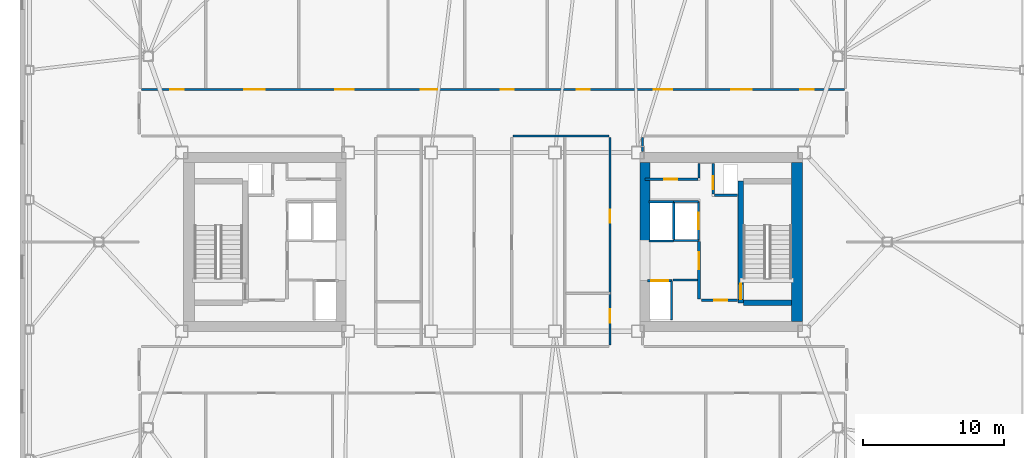
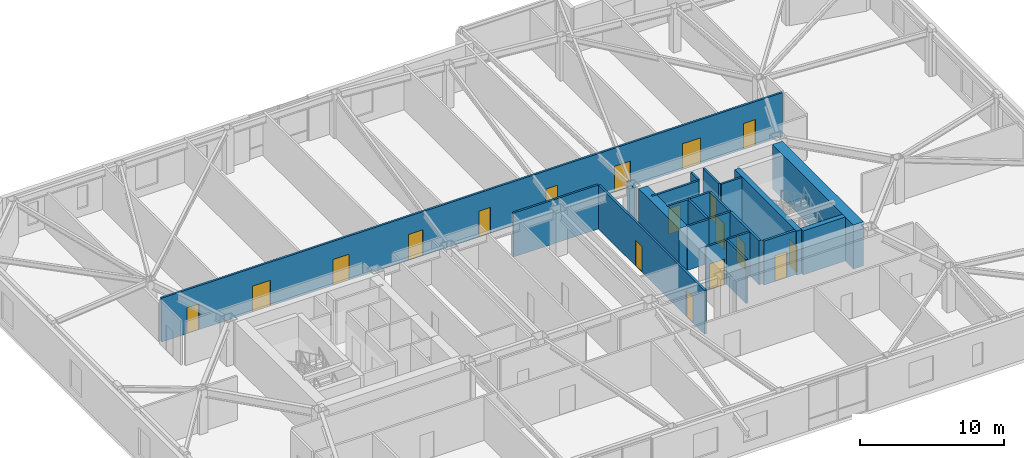
# One storey, part 12 of 18: 23 walls, 18 doors, 18 openings.
"""IFC4 building model written with IfcOpenShell, lengths in metres."""

from ifc_helpers import new_model, si_unit, direction, frame, frame_2d, origin, place, context, subcontext, project, spatial, rectangle, extrude, material, layer, layer_set, type_object, element, fill, save


model = new_model("IFC4")

# Units and contexts
model_context = context("Model", 3, precision=1e-05, world=origin(), true_north=direction((0.0, 1.0)))
body_context = subcontext(model_context, "Body", "Model", "MODEL_VIEW")
ifc_project = project(units=[si_unit("LENGTHUNIT", "METRE"), si_unit("AREAUNIT", "SQUARE_METRE"), si_unit("VOLUMEUNIT", "CUBIC_METRE"), si_unit("PLANEANGLEUNIT", "RADIAN"), si_unit("MASSUNIT", "GRAM", prefix="KILO")], contexts=[model_context])

# Site, building, storey
site_placement = place(None, origin())
site = spatial("IfcSite", under=ifc_project, at=site_placement, CompositionType="ELEMENT")
building_placement = place(site_placement, origin())
building = spatial("IfcBuilding", under=site, at=building_placement, Name="Tavrogorsk Clinical Tower", CompositionType="ELEMENT")
storey_placement = place(building_placement, frame((0.0, 0.0, 184.199951171875)))
storey = spatial("IfcBuildingStorey", under=building, at=storey_placement, Name="L42", CompositionType="ELEMENT", Elevation=184.199951171875)

# Wall, opening, door
ifc_material_1 = material(Name="Concrete B60", Category="concrete")
ifc_layer_1 = layer(ifc_material_1, 0.199951171875)
ifc_layer_set_1 = layer_set([ifc_layer_1], Name="Concrete B60")
wall_type_1 = type_object("IfcWallType", Name="CoreFireWall_200", PredefinedType="SOLIDWALL", material=ifc_layer_set_1)
wall_1_placement = place(storey_placement, frame((14.824951171875, -4.139892578125, 0.0), z_axis=(0.0, 0.0, 1.0), x_axis=(1.0, 0.0, 0.0)))
wall_1 = element("IfcWall", 1, at=wall_1_placement, inside=storey, type_object=wall_type_1, Name="L42 Core East South Core Room Fire Wall", PredefinedType="SOLIDWALL", context=body_context, shape_type="SweptSolid", body=[
    extrude(rectangle(XDim=2.554931640625, YDim=0.199951171875, at=frame_2d((1.27734375, 0.0))), origin(), (0.0, 0.0, 1.0), 3.739990234375),
])
opening_1_placement = place(wall_1_placement, frame((0.8798828125, 0.0, 0.0)))
opening_1 = element("IfcOpeningElement", 2, at=opening_1_placement, cuts=wall_1, Name="Opening ID-02", PredefinedType="OPENING", context=body_context, shape_type="SweptSolid", body=[
    extrude(rectangle(XDim=0.949951171875, YDim=2.199951171875, at=frame_2d((0.47509765625, 1.10009765625))), frame((0.0, 0.10986328125, 0.0), z_axis=(0.0, -1.0, 0.0), x_axis=(1.0, 0.0, 0.0)), (0.0, 0.0, 1.0), 0.219970703125),
])
ifc_material_2 = material(Name="Laminated timber leaf on aluminium frame", Category="wood")
door_type_1 = type_object("IfcDoorType", Name="InteriorDoor_ID02_950", OperationType="NOTDEFINED", PredefinedType="DOOR", material=ifc_material_2)
door_1_placement = place(opening_1_placement, origin())
door_1 = element("IfcDoor", 3, at=door_1_placement, inside=storey, type_object=door_type_1, Name="L42 Core East South Core Room Door", OperationType="SINGLE_SWING_RIGHT", OverallHeight=2.199951171875, OverallWidth=0.949951171875, PredefinedType="DOOR", context=body_context, shape_type="SweptSolid", body=[
    extrude(rectangle(XDim=0.949951171875, YDim=2.199951171875, at=frame_2d((0.47509765625, 1.10009765625))), frame((0.0, 0.02490234375, 0.0), z_axis=(0.0, -1.0, 0.0), x_axis=(1.0, 0.0, 0.0)), (0.0, 0.0, 1.0), 0.050048828125),
])
fill(opening_1, door_1)

wall_2_placement = place(storey_placement, frame((14.639892578125, -4.034912109375, 0.0), z_axis=(0.0, 0.0, 1.0), x_axis=(0.0, 1.0, 0.0)))
wall_2 = element("IfcWall", 4, at=wall_2_placement, inside=storey, type_object=wall_type_1, Name="L42 Core East Firefighting Lobby Fire Wall", PredefinedType="SOLIDWALL", context=body_context, shape_type="SweptSolid", body=[
    extrude(rectangle(XDim=4.074951171875, YDim=0.199951171875, at=frame_2d((2.03759765625, 0.0))), origin(), (0.0, 0.0, 1.0), 3.739990234375),
])
opening_2_placement = place(wall_2_placement, frame((2.090087890625, 0.0, 0.0)))
opening_2 = element("IfcOpeningElement", 5, at=opening_2_placement, cuts=wall_2, Name="Opening FD-01", PredefinedType="OPENING", context=body_context, shape_type="SweptSolid", body=[
    extrude(rectangle(XDim=1.199951171875, YDim=2.199951171875, at=frame_2d((0.60009765625, 1.10009765625))), frame((0.0, 0.10986328125, 0.0), z_axis=(0.0, -1.0, 0.0), x_axis=(1.0, 0.0, 0.0)), (0.0, 0.0, 1.0), 0.219970703125),
])
ifc_material_3 = material(Name="Galvanised steel fire-rated door assembly", Category="steel")
door_type_2 = type_object("IfcDoorType", Name="FireDoor_FD01_1200", OperationType="NOTDEFINED", PredefinedType="DOOR", material=ifc_material_3)
door_2_placement = place(opening_2_placement, origin())
door_2 = element("IfcDoor", 6, at=door_2_placement, inside=storey, type_object=door_type_2, Name="L42 Core East Firefighting Lobby Entry Door", OperationType="SINGLE_SWING_RIGHT", OverallHeight=2.199951171875, OverallWidth=1.199951171875, PredefinedType="DOOR", context=body_context, shape_type="SweptSolid", body=[
    extrude(rectangle(XDim=1.199951171875, YDim=2.199951171875, at=frame_2d((0.60009765625, 1.10009765625))), frame((0.0, 0.02490234375, 0.0), z_axis=(0.0, -1.0, 0.0), x_axis=(1.0, 0.0, 0.0)), (0.0, 0.0, 1.0), 0.050048828125),
])
fill(opening_2, door_2)

# Wall
ifc_material_4 = material(Name="Lightweight concrete blockwork B15", Category="masonry")
ifc_layer_2 = layer(ifc_material_4, 0.159912109375)
ifc_layer_set_2 = layer_set([ifc_layer_2], Name="Lightweight concrete blockwork B15")
wall_type_2 = type_object("IfcWallType", Name="PartitionWall_160", PredefinedType="PARTITIONING", material=ifc_layer_set_2)
wall_3_placement = place(storey_placement, frame((12.77490234375, -2.699951171875, 0.0), z_axis=(0.0, 0.0, 1.0), x_axis=(1.0, 0.0, 0.0)))
element("IfcWall", 7, at=wall_3_placement, inside=storey, type_object=wall_type_2, Name="L42 Core East Freed Low-Bank North Partition", PredefinedType="PARTITIONING", context=body_context, shape_type="SweptSolid", body=[
    extrude(rectangle(XDim=1.760009765625, YDim=0.159912109375, at=frame_2d((0.8798828125, 0.0))), origin(), (0.0, 0.0, 1.0), 3.739990234375),
])

# Wall, opening, door
wall_4_placement = place(storey_placement, frame((10.800048828125, 4.4599609375, 0.0), z_axis=(0.0, 0.0, 1.0), x_axis=(1.0, 0.0, 0.0)))
wall_4 = element("IfcWall", 8, at=wall_4_placement, inside=storey, type_object=wall_type_2, Name="L42 Core East Pneumatic Dispatch South Wall", PredefinedType="PARTITIONING", context=body_context, shape_type="SweptSolid", body=[
    extrude(rectangle(XDim=3.7548828125, YDim=0.159912109375, at=frame_2d((1.87744140625, 0.0))), origin(), (0.0, 0.0, 1.0), 3.739990234375),
])
opening_3_placement = place(wall_4_placement, frame((1.35009765625, 0.0, 0.0)))
opening_3 = element("IfcOpeningElement", 9, at=opening_3_placement, cuts=wall_4, Name="Opening ID-02", PredefinedType="OPENING", context=body_context, shape_type="SweptSolid", body=[
    extrude(rectangle(XDim=0.949951171875, YDim=2.199951171875, at=frame_2d((0.47509765625, 1.10009765625))), frame((0.0, 0.08984375, 0.0), z_axis=(0.0, -1.0, 0.0), x_axis=(1.0, 0.0, 0.0)), (0.0, 0.0, 1.0), 0.179931640625),
])
door_3_placement = place(opening_3_placement, origin())
door_3 = element("IfcDoor", 10, at=door_3_placement, inside=storey, type_object=door_type_1, Name="L42 Core East Pneumatic Dispatch Door", OperationType="SINGLE_SWING_LEFT", OverallHeight=2.199951171875, OverallWidth=0.949951171875, PredefinedType="DOOR", context=body_context, shape_type="SweptSolid", body=[
    extrude(rectangle(XDim=0.949951171875, YDim=2.199951171875, at=frame_2d((0.47509765625, 1.10009765625))), frame((0.0, 0.02490234375, 0.0), z_axis=(0.0, -1.0, 0.0), x_axis=(1.0, 0.0, 0.0)), (0.0, 0.0, 1.0), 0.050048828125),
])
fill(opening_3, door_3)

# Wall
wall_5_placement = place(storey_placement, frame((14.639892578125, 4.544921875, 0.0), z_axis=(0.0, 0.0, 1.0), x_axis=(0.0, 1.0, 0.0)))
element("IfcWall", 11, at=wall_5_placement, inside=storey, type_object=wall_type_2, Name="L42 Core East Pneumatic Dispatch East Wall", PredefinedType="PARTITIONING", context=body_context, shape_type="SweptSolid", body=[
    extrude(rectangle(XDim=1.01513671875, YDim=0.159912109375, at=frame_2d((0.507568359375, 0.0))), origin(), (0.0, 0.0, 1.0), 3.739990234375),
])

# Wall, openings, doors
wall_6_placement = place(storey_placement, frame((-24.965087890625, 10.830078125, 0.0), z_axis=(0.0, 0.0, 1.0), x_axis=(1.0, 0.0, 0.0)))
wall_6 = element("IfcWall", 12, at=wall_6_placement, inside=storey, type_object=wall_type_2, Name="L42 Corridor Partition 07", PredefinedType="PARTITIONING", context=body_context, shape_type="SweptSolid", body=[
    extrude(rectangle(XDim=49.93017578125, YDim=0.159912109375, at=frame_2d((24.965087890625, 0.0))), origin(), (0.0, 0.0, 1.0), 3.739990234375),
])
opening_4_placement = place(wall_6_placement, frame((2.044189453125, 0.0, 0.0)))
opening_4 = element("IfcOpeningElement", 13, at=opening_4_placement, cuts=wall_6, Name="Opening ID-02", PredefinedType="OPENING", context=body_context, shape_type="SweptSolid", body=[
    extrude(rectangle(XDim=0.949951171875, YDim=2.199951171875, at=frame_2d((0.47509765625, 1.10009765625))), frame((0.0, 0.08984375, 0.0), z_axis=(0.0, -1.0, 0.0), x_axis=(1.0, 0.0, 0.0)), (0.0, 0.0, 1.0), 0.179931640625),
])
opening_5_placement = place(wall_6_placement, frame((7.300048828125, 0.0, 0.0)))
opening_5 = element("IfcOpeningElement", 14, at=opening_5_placement, cuts=wall_6, Name="Opening ID-05", PredefinedType="OPENING", context=body_context, shape_type="SweptSolid", body=[
    extrude(rectangle(XDim=1.449951171875, YDim=2.199951171875, at=frame_2d((0.72509765625, 1.10009765625))), frame((0.0, 0.08984375, 0.0), z_axis=(0.0, -1.0, 0.0), x_axis=(1.0, 0.0, 0.0)), (0.0, 0.0, 1.0), 0.179931640625),
])
opening_6_placement = place(wall_6_placement, frame((13.77490234375, 0.0, 0.0)))
opening_6 = element("IfcOpeningElement", 15, at=opening_6_placement, cuts=wall_6, Name="Opening ID-01", PredefinedType="OPENING", context=body_context, shape_type="SweptSolid", body=[
    extrude(rectangle(XDim=1.300048828125, YDim=2.199951171875, at=frame_2d((0.64990234375, 1.10009765625))), frame((0.0, 0.08984375, 0.0), z_axis=(0.0, -1.0, 0.0), x_axis=(1.0, 0.0, 0.0)), (0.0, 0.0, 1.0), 0.179931640625),
])
opening_7_placement = place(wall_6_placement, frame((19.85009765625, 0.0, 0.0)))
opening_7 = element("IfcOpeningElement", 16, at=opening_7_placement, cuts=wall_6, Name="Opening ID-06", PredefinedType="OPENING", context=body_context, shape_type="SweptSolid", body=[
    extrude(rectangle(XDim=1.14990234375, YDim=2.199951171875, at=frame_2d((0.574951171875, 1.10009765625))), frame((0.0, 0.08984375, 0.0), z_axis=(0.0, -1.0, 0.0), x_axis=(1.0, 0.0, 0.0)), (0.0, 0.0, 1.0), 0.179931640625),
])
opening_8_placement = place(wall_6_placement, frame((25.5, 0.0, 0.0)))
opening_8 = element("IfcOpeningElement", 17, at=opening_8_placement, cuts=wall_6, Name="Opening ID-02", PredefinedType="OPENING", context=body_context, shape_type="SweptSolid", body=[
    extrude(rectangle(XDim=0.949951171875, YDim=2.199951171875, at=frame_2d((0.47509765625, 1.10009765625))), frame((0.0, 0.08984375, 0.0), z_axis=(0.0, -1.0, 0.0), x_axis=(1.0, 0.0, 0.0)), (0.0, 0.0, 1.0), 0.179931640625),
])
opening_9_placement = place(wall_6_placement, frame((30.89990234375, 0.0, 0.0)))
opening_9 = element("IfcOpeningElement", 18, at=opening_9_placement, cuts=wall_6, Name="Opening ID-02", PredefinedType="OPENING", context=body_context, shape_type="SweptSolid", body=[
    extrude(rectangle(XDim=0.949951171875, YDim=2.199951171875, at=frame_2d((0.47509765625, 1.10009765625))), frame((0.0, 0.08984375, 0.0), z_axis=(0.0, -1.0, 0.0), x_axis=(1.0, 0.0, 0.0)), (0.0, 0.0, 1.0), 0.179931640625),
])
opening_10_placement = place(wall_6_placement, frame((36.39501953125, 0.0, 0.0)))
opening_10 = element("IfcOpeningElement", 19, at=opening_10_placement, cuts=wall_6, Name="Opening ID-01", PredefinedType="OPENING", context=body_context, shape_type="SweptSolid", body=[
    extrude(rectangle(XDim=1.300048828125, YDim=2.199951171875, at=frame_2d((0.64990234375, 1.10009765625))), frame((0.0, 0.08984375, 0.0), z_axis=(0.0, -1.0, 0.0), x_axis=(1.0, 0.0, 0.0)), (0.0, 0.0, 1.0), 0.179931640625),
])
opening_11_placement = place(wall_6_placement, frame((41.89501953125, 0.0, 0.0)))
opening_11 = element("IfcOpeningElement", 20, at=opening_11_placement, cuts=wall_6, Name="Opening ID-05", PredefinedType="OPENING", context=body_context, shape_type="SweptSolid", body=[
    extrude(rectangle(XDim=1.449951171875, YDim=2.199951171875, at=frame_2d((0.72509765625, 1.10009765625))), frame((0.0, 0.08984375, 0.0), z_axis=(0.0, -1.0, 0.0), x_axis=(1.0, 0.0, 0.0)), (0.0, 0.0, 1.0), 0.179931640625),
])
opening_12_placement = place(wall_6_placement, frame((46.805908203125, 0.0, 0.0)))
opening_12 = element("IfcOpeningElement", 21, at=opening_12_placement, cuts=wall_6, Name="Opening ID-02", PredefinedType="OPENING", context=body_context, shape_type="SweptSolid", body=[
    extrude(rectangle(XDim=0.949951171875, YDim=2.199951171875, at=frame_2d((0.47509765625, 1.10009765625))), frame((0.0, 0.08984375, 0.0), z_axis=(0.0, -1.0, 0.0), x_axis=(1.0, 0.0, 0.0)), (0.0, 0.0, 1.0), 0.179931640625),
])
ifc_material_5 = material(Name="Antibacterial HPL bariatric ward double door")
door_type_3 = type_object("IfcDoorType", Name="DoubleWardDoor_ID05_1450", OperationType="DOUBLE_SWING_LEFT", PredefinedType="DOOR", material=ifc_material_5)
door_4_placement = place(opening_5_placement, origin())
door_4 = element("IfcDoor", 22, at=door_4_placement, inside=storey, type_object=door_type_3, Name="L42 North Acute Isolation Suite 02 Door", OperationType="DOUBLE_SWING_LEFT", OverallHeight=2.199951171875, OverallWidth=1.449951171875, PredefinedType="DOOR", context=body_context, shape_type="SweptSolid", body=[
    extrude(rectangle(XDim=1.449951171875, YDim=2.199951171875, at=frame_2d((0.72509765625, 1.10009765625))), frame((0.0, 0.02490234375, 0.0), z_axis=(0.0, -1.0, 0.0), x_axis=(1.0, 0.0, 0.0)), (0.0, 0.0, 1.0), 0.050048828125),
])
fill(opening_5, door_4)
door_5_placement = place(opening_11_placement, origin())
door_5 = element("IfcDoor", 23, at=door_5_placement, inside=storey, type_object=door_type_3, Name="L42 North Acute Isolation Suite 05B Door", OperationType="DOUBLE_SWING_LEFT", OverallHeight=2.199951171875, OverallWidth=1.449951171875, PredefinedType="DOOR", context=body_context, shape_type="SweptSolid", body=[
    extrude(rectangle(XDim=1.449951171875, YDim=2.199951171875, at=frame_2d((0.72509765625, 1.10009765625))), frame((0.0, 0.02490234375, 0.0), z_axis=(0.0, -1.0, 0.0), x_axis=(1.0, 0.0, 0.0)), (0.0, 0.0, 1.0), 0.050048828125),
])
fill(opening_11, door_5)
door_6_placement = place(opening_4_placement, origin())
door_6 = element("IfcDoor", 24, at=door_6_placement, inside=storey, type_object=door_type_1, Name="L42 North Patient & Family Quiet Lounge 01 Door", OperationType="SINGLE_SWING_LEFT", OverallHeight=2.199951171875, OverallWidth=0.949951171875, PredefinedType="DOOR", context=body_context, shape_type="SweptSolid", body=[
    extrude(rectangle(XDim=0.949951171875, YDim=2.199951171875, at=frame_2d((0.47509765625, 1.10009765625))), frame((0.0, 0.02490234375, 0.0), z_axis=(0.0, -1.0, 0.0), x_axis=(1.0, 0.0, 0.0)), (0.0, 0.0, 1.0), 0.050048828125),
])
fill(opening_4, door_6)
door_7_placement = place(opening_8_placement, origin())
door_7 = element("IfcDoor", 25, at=door_7_placement, inside=storey, type_object=door_type_1, Name="L42 North Multidisciplinary Case Room 04A Door", OperationType="SINGLE_SWING_LEFT", OverallHeight=2.199951171875, OverallWidth=0.949951171875, PredefinedType="DOOR", context=body_context, shape_type="SweptSolid", body=[
    extrude(rectangle(XDim=0.949951171875, YDim=2.199951171875, at=frame_2d((0.47509765625, 1.10009765625))), frame((0.0, 0.02490234375, 0.0), z_axis=(0.0, -1.0, 0.0), x_axis=(1.0, 0.0, 0.0)), (0.0, 0.0, 1.0), 0.050048828125),
])
fill(opening_8, door_7)
door_8_placement = place(opening_9_placement, origin())
door_8 = element("IfcDoor", 26, at=door_8_placement, inside=storey, type_object=door_type_1, Name="L42 North Patient & Family Quiet Lounge 04B Door", OperationType="SINGLE_SWING_RIGHT", OverallHeight=2.199951171875, OverallWidth=0.949951171875, PredefinedType="DOOR", context=body_context, shape_type="SweptSolid", body=[
    extrude(rectangle(XDim=0.949951171875, YDim=2.199951171875, at=frame_2d((0.47509765625, 1.10009765625))), frame((0.0, 0.02490234375, 0.0), z_axis=(0.0, -1.0, 0.0), x_axis=(1.0, 0.0, 0.0)), (0.0, 0.0, 1.0), 0.050048828125),
])
fill(opening_9, door_8)
door_9_placement = place(opening_12_placement, origin())
door_9 = element("IfcDoor", 27, at=door_9_placement, inside=storey, type_object=door_type_1, Name="L42 North Clinical Examination Suite 06 Door", OperationType="SINGLE_SWING_LEFT", OverallHeight=2.199951171875, OverallWidth=0.949951171875, PredefinedType="DOOR", context=body_context, shape_type="SweptSolid", body=[
    extrude(rectangle(XDim=0.949951171875, YDim=2.199951171875, at=frame_2d((0.47509765625, 1.10009765625))), frame((0.0, 0.02490234375, 0.0), z_axis=(0.0, -1.0, 0.0), x_axis=(1.0, 0.0, 0.0)), (0.0, 0.0, 1.0), 0.050048828125),
])
fill(opening_12, door_9)
ifc_material_6 = material(Name="Antibacterial HPL procedure door on aluminium frame", Category="aluminium")
door_type_4 = type_object("IfcDoorType", Name="LabDoor_ID06_1150", OperationType="NOTDEFINED", PredefinedType="DOOR", material=ifc_material_6)
door_10_placement = place(opening_7_placement, origin())
door_10 = element("IfcDoor", 28, at=door_10_placement, inside=storey, type_object=door_type_4, Name="L42 North Physician Consultation Office 03B Door", OperationType="SINGLE_SWING_RIGHT", OverallHeight=2.199951171875, OverallWidth=1.14990234375, PredefinedType="DOOR", context=body_context, shape_type="SweptSolid", body=[
    extrude(rectangle(XDim=1.14990234375, YDim=2.199951171875, at=frame_2d((0.574951171875, 1.10009765625))), frame((0.0, 0.02490234375, 0.0), z_axis=(0.0, -1.0, 0.0), x_axis=(1.0, 0.0, 0.0)), (0.0, 0.0, 1.0), 0.050048828125),
])
fill(opening_7, door_10)
ifc_material_7 = material(Name="Antibacterial HPL medical leaf on aluminium frame", Category="aluminium")
door_type_5 = type_object("IfcDoorType", Name="WardBedDoor_ID01_1300", OperationType="NOTDEFINED", PredefinedType="DOOR", material=ifc_material_7)
door_11_placement = place(opening_6_placement, origin())
door_11 = element("IfcDoor", 29, at=door_11_placement, inside=storey, type_object=door_type_5, Name="L42 North Sub-Acute Recovery Ward 03A Door", OperationType="SINGLE_SWING_LEFT", OverallHeight=2.199951171875, OverallWidth=1.300048828125, PredefinedType="DOOR", context=body_context, shape_type="SweptSolid", body=[
    extrude(rectangle(XDim=1.300048828125, YDim=2.199951171875, at=frame_2d((0.64990234375, 1.10009765625))), frame((0.0, 0.02490234375, 0.0), z_axis=(0.0, -1.0, 0.0), x_axis=(1.0, 0.0, 0.0)), (0.0, 0.0, 1.0), 0.050048828125),
])
fill(opening_6, door_11)
door_12_placement = place(opening_10_placement, origin())
door_12 = element("IfcDoor", 30, at=door_12_placement, inside=storey, type_object=door_type_5, Name="L42 North Inpatient Clinical Ward 05A Door", OperationType="SINGLE_SWING_LEFT", OverallHeight=2.199951171875, OverallWidth=1.300048828125, PredefinedType="DOOR", context=body_context, shape_type="SweptSolid", body=[
    extrude(rectangle(XDim=1.300048828125, YDim=2.199951171875, at=frame_2d((0.64990234375, 1.10009765625))), frame((0.0, 0.02490234375, 0.0), z_axis=(0.0, -1.0, 0.0), x_axis=(1.0, 0.0, 0.0)), (0.0, 0.0, 1.0), 0.050048828125),
])
fill(opening_10, door_12)

# Walls
wall_7_placement = place(storey_placement, frame((10.6298828125, 7.43505859375, 0.0), z_axis=(0.0, 0.0, 1.0), x_axis=(0.0, -1.0, 0.0)))
element("IfcWall", 31, at=wall_7_placement, inside=storey, type_object=wall_type_2, Name="L42 Corridor Partition 10", PredefinedType="PARTITIONING", context=body_context, shape_type="SweptSolid", body=[
    extrude(rectangle(XDim=1.01513671875, YDim=0.159912109375, at=frame_2d((0.507568359375, 0.0))), origin(), (0.0, 0.0, 1.0), 3.28515625),
])
wall_8_placement = place(storey_placement, frame((8.235107421875, 7.52001953125, 0.0), z_axis=(0.0, 0.0, 1.0), x_axis=(-1.0, 0.0, 0.0)))
element("IfcWall", 32, at=wall_8_placement, inside=storey, type_object=wall_type_2, Name="L42 Corridor Partition 15", PredefinedType="PARTITIONING", context=body_context, shape_type="SweptSolid", body=[
    extrude(rectangle(XDim=6.820068359375, YDim=0.159912109375, at=frame_2d((3.41015625, 0.0))), origin(), (0.0, 0.0, 1.0), 3.739990234375),
])

# Wall, openings, doors
wall_9_placement = place(storey_placement, frame((8.320068359375, -7.3349609375, 0.0), z_axis=(0.0, 0.0, 1.0), x_axis=(0.0, 1.0, 0.0)))
wall_9 = element("IfcWall", 33, at=wall_9_placement, inside=storey, type_object=wall_type_2, Name="L42 Corridor Partition 18", PredefinedType="PARTITIONING", context=body_context, shape_type="SweptSolid", body=[
    extrude(rectangle(XDim=14.77001953125, YDim=0.159912109375, at=frame_2d((7.385009765625, 0.0))), origin(), (0.0, 0.0, 1.0), 3.739990234375),
])
opening_13_placement = place(wall_9_placement, frame((1.60400390625, 0.0, 0.0)))
opening_13 = element("IfcOpeningElement", 34, at=opening_13_placement, cuts=wall_9, Name="Opening ID-02", PredefinedType="OPENING", context=body_context, shape_type="SweptSolid", body=[
    extrude(rectangle(XDim=0.949951171875, YDim=2.199951171875, at=frame_2d((0.47509765625, 1.10009765625))), frame((0.0, 0.08984375, 0.0), z_axis=(0.0, -1.0, 0.0), x_axis=(1.0, 0.0, 0.0)), (0.0, 0.0, 1.0), 0.179931640625),
])
opening_14_placement = place(wall_9_placement, frame((8.685791015625, 0.0, 0.0)))
opening_14 = element("IfcOpeningElement", 35, at=opening_14_placement, cuts=wall_9, Name="Opening ID-02", PredefinedType="OPENING", context=body_context, shape_type="SweptSolid", body=[
    extrude(rectangle(XDim=0.949951171875, YDim=2.199951171875, at=frame_2d((0.47509765625, 1.10009765625))), frame((0.0, 0.08984375, 0.0), z_axis=(0.0, -1.0, 0.0), x_axis=(1.0, 0.0, 0.0)), (0.0, 0.0, 1.0), 0.179931640625),
])
door_13_placement = place(opening_13_placement, origin())
door_13 = element("IfcDoor", 36, at=door_13_placement, inside=storey, type_object=door_type_1, Name="L42 Staff & Visitor Accessible WC Door", OperationType="SINGLE_SWING_RIGHT", OverallHeight=2.199951171875, OverallWidth=0.949951171875, PredefinedType="DOOR", context=body_context, shape_type="SweptSolid", body=[
    extrude(rectangle(XDim=0.949951171875, YDim=2.199951171875, at=frame_2d((0.47509765625, 1.10009765625))), frame((0.0, 0.02490234375, 0.0), z_axis=(0.0, -1.0, 0.0), x_axis=(1.0, 0.0, 0.0)), (0.0, 0.0, 1.0), 0.050048828125),
])
fill(opening_13, door_13)
door_14_placement = place(opening_14_placement, origin())
door_14 = element("IfcDoor", 37, at=door_14_placement, inside=storey, type_object=door_type_1, Name="L42 Resident Clinician Study Door", OperationType="SINGLE_SWING_LEFT", OverallHeight=2.199951171875, OverallWidth=0.949951171875, PredefinedType="DOOR", context=body_context, shape_type="SweptSolid", body=[
    extrude(rectangle(XDim=0.949951171875, YDim=2.199951171875, at=frame_2d((0.47509765625, 1.10009765625))), frame((0.0, 0.02490234375, 0.0), z_axis=(0.0, -1.0, 0.0), x_axis=(1.0, 0.0, 0.0)), (0.0, 0.0, 1.0), 0.050048828125),
])
fill(opening_14, door_14)

# Wall, opening, door
ifc_material_8 = material(Name="Lightweight concrete blockwork B25", Category="masonry")
ifc_layer_3 = layer(ifc_material_8, 0.159912109375)
ifc_layer_set_3 = layer_set([ifc_layer_3], Name="Lightweight concrete blockwork B25")
wall_type_3 = type_object("IfcWallType", Name="ShaftWall_160", PredefinedType="PARTITIONING", material=ifc_layer_set_3)
wall_10_placement = place(storey_placement, frame((14.60009765625, 0.1201171875, 0.0), z_axis=(0.0, 0.0, 1.0), x_axis=(0.0, 1.0, 0.0)))
wall_10 = element("IfcWall", 38, at=wall_10_placement, inside=storey, type_object=wall_type_3, Name="L42 FFL-E Firefighting Lift Front Wall", PredefinedType="PARTITIONING", context=body_context, shape_type="SweptSolid", body=[
    extrude(rectangle(XDim=2.739990234375, YDim=0.159912109375, at=frame_2d((1.3701171875, 0.0))), origin(), (0.0, 0.0, 1.0), 3.739990234375),
])
opening_15_placement = place(wall_10_placement, frame((0.77001953125, 0.0, 0.0)))
opening_15 = element("IfcOpeningElement", 39, at=opening_15_placement, cuts=wall_10, Name="Opening LD", PredefinedType="OPENING", context=body_context, shape_type="SweptSolid", body=[
    extrude(rectangle(XDim=1.199951171875, YDim=2.199951171875, at=frame_2d((0.60009765625, 1.10009765625))), frame((0.0, 0.08984375, 0.0), z_axis=(0.0, -1.0, 0.0), x_axis=(1.0, 0.0, 0.0)), (0.0, 0.0, 1.0), 0.179931640625),
])
ifc_material_9 = material(Name="Brushed stainless steel AISI 304 sliding doors", Category="steel")
door_type_6 = type_object("IfcDoorType", Name="LiftLandingDoor_LD_1200", OperationType="SLIDING_TO_LEFT", PredefinedType="DOOR", material=ifc_material_9)
door_15_placement = place(opening_15_placement, origin())
door_15 = element("IfcDoor", 40, at=door_15_placement, inside=storey, type_object=door_type_6, Name="L42 FFL-E Sliding Lift Landing Door", OperationType="SLIDING_TO_LEFT", OverallHeight=2.199951171875, OverallWidth=1.199951171875, PredefinedType="DOOR", context=body_context, shape_type="SweptSolid", body=[
    extrude(rectangle(XDim=1.199951171875, YDim=2.199951171875, at=frame_2d((0.60009765625, 1.10009765625))), frame((0.0, 0.02490234375, 0.0), z_axis=(0.0, -1.0, 0.0), x_axis=(1.0, 0.0, 0.0)), (0.0, 0.0, 1.0), 0.050048828125),
])
fill(opening_15, door_15)

# Walls
for number, where, z_axis, x_axis, name in (
    (41, (12.840087890625, 0.10009765625, 0.0), (0.0, 0.0, 1.0), (1.0, 0.0, 0.0), "L42 FFL-E Shaft South Wall"),
    (42, (12.840087890625, 2.8798828125, 0.0), (0.0, 0.0, 1.0), (1.0, 0.0, 0.0), "L42 FFL-E Shaft North Wall"),
):
    element("IfcWall", number, at=place(storey_placement, frame(where, z_axis=z_axis, x_axis=x_axis)), inside=storey, type_object=wall_type_3, Name=name, PredefinedType="PARTITIONING", context=body_context, shape_type="SweptSolid", body=[
        extrude(rectangle(XDim=1.760009765625, YDim=0.159912109375, at=frame_2d((0.8798828125, 0.0))), origin(), (0.0, 0.0, 1.0), 3.739990234375),
    ])
wall_11_placement = place(storey_placement, frame((12.840087890625, 0.179931640625, 0.0), z_axis=(0.0, 0.0, 1.0), x_axis=(0.0, 1.0, 0.0)))
element("IfcWall", 43, at=wall_11_placement, inside=storey, type_object=wall_type_3, Name="L42 FFL-E Shaft Back Wall", PredefinedType="PARTITIONING", context=body_context, shape_type="SweptSolid", body=[
    extrude(rectangle(XDim=2.6201171875, YDim=0.159912109375, at=frame_2d((1.31005859375, 0.0))), origin(), (0.0, 0.0, 1.0), 3.739990234375),
])

# Wall, opening, door
wall_12_placement = place(storey_placement, frame((10.969970703125, -2.75, 0.0), z_axis=(0.0, 0.0, 1.0), x_axis=(1.0, 0.0, 0.0)))
wall_12 = element("IfcWall", 44, at=wall_12_placement, inside=storey, type_object=wall_type_3, Name="L42 LP-M2 Lift Shaft Portal Wall", PredefinedType="PARTITIONING", context=body_context, shape_type="SweptSolid", body=[
    extrude(rectangle(XDim=1.760009765625, YDim=0.159912109375, at=frame_2d((0.8798828125, 0.0))), origin(), (0.0, 0.0, 1.0), 3.739990234375),
])
opening_16_placement = place(wall_12_placement, frame((0.280029296875, 0.0, 0.0)))
opening_16 = element("IfcOpeningElement", 45, at=opening_16_placement, cuts=wall_12, Name="Opening LD", PredefinedType="OPENING", context=body_context, shape_type="SweptSolid", body=[
    extrude(rectangle(XDim=1.199951171875, YDim=2.199951171875, at=frame_2d((0.60009765625, 1.10009765625))), frame((0.0, 0.08984375, 0.0), z_axis=(0.0, -1.0, 0.0), x_axis=(1.0, 0.0, 0.0)), (0.0, 0.0, 1.0), 0.179931640625),
])
door_16_placement = place(opening_16_placement, origin())
door_16 = element("IfcDoor", 46, at=door_16_placement, inside=storey, type_object=door_type_6, Name="L42 LP-M2 Sliding Lift Landing Door", OperationType="SLIDING_TO_LEFT", OverallHeight=2.199951171875, OverallWidth=1.199951171875, PredefinedType="DOOR", context=body_context, shape_type="SweptSolid", body=[
    extrude(rectangle(XDim=1.199951171875, YDim=2.199951171875, at=frame_2d((0.60009765625, 1.10009765625))), frame((0.0, 0.02490234375, 0.0), z_axis=(0.0, -1.0, 0.0), x_axis=(1.0, 0.0, 0.0)), (0.0, 0.0, 1.0), 0.050048828125),
])
fill(opening_16, door_16)

# Walls
for number, where, z_axis, x_axis, name in (
    (47, (11.10009765625, 0.06005859375, 0.0), (0.0, 0.0, 1.0), (1.0, 0.0, 0.0), "L42 LP-H2 High-Zone Lift Portal Wall"),
    (48, (11.10009765625, 2.860107421875, 0.0), (0.0, 0.0, 1.0), (1.0, 0.0, 0.0), "L42 LP-H2 High-Zone Lift Rear Wall"),
):
    element("IfcWall", number, at=place(storey_placement, frame(where, z_axis=z_axis, x_axis=x_axis)), inside=storey, type_object=wall_type_3, Name=name, PredefinedType="PARTITIONING", context=body_context, shape_type="SweptSolid", body=[
        extrude(rectangle(XDim=1.719970703125, YDim=0.159912109375, at=frame_2d((0.85986328125, 0.0))), origin(), (0.0, 0.0, 1.0), 3.739990234375),
    ])

# Wall, opening, door
wall_13_placement = place(storey_placement, frame((15.639892578125, 3.405029296875, 0.0), z_axis=(0.0, 0.0, 1.0), x_axis=(0.0, 1.0, 0.0)))
wall_13 = element("IfcWall", 49, at=wall_13_placement, inside=storey, type_object=wall_type_3, Name="L42 Core East Riser West Wall", PredefinedType="PARTITIONING", context=body_context, shape_type="SweptSolid", body=[
    extrude(rectangle(XDim=2.155029296875, YDim=0.159912109375, at=frame_2d((1.07763671875, 0.0))), origin(), (0.0, 0.0, 1.0), 3.739990234375),
])
opening_17_placement = place(wall_13_placement, frame((0.35009765625, 0.0, 0.0)))
opening_17 = element("IfcOpeningElement", 50, at=opening_17_placement, cuts=wall_13, Name="Opening FD-02", PredefinedType="OPENING", context=body_context, shape_type="SweptSolid", body=[
    extrude(rectangle(XDim=0.89990234375, YDim=2.199951171875, at=frame_2d((0.449951171875, 1.10009765625))), frame((0.0, 0.08984375, 0.0), z_axis=(0.0, -1.0, 0.0), x_axis=(1.0, 0.0, 0.0)), (0.0, 0.0, 1.0), 0.179931640625),
])
ifc_material_10 = material(Name="Galvanised steel fire-rated door assembly", Category="steel")
door_type_7 = type_object("IfcDoorType", Name="FireDoor_FD02_900", OperationType="NOTDEFINED", PredefinedType="DOOR", material=ifc_material_10)
door_17_placement = place(opening_17_placement, origin())
door_17 = element("IfcDoor", 51, at=door_17_placement, inside=storey, type_object=door_type_7, Name="L42 Core East Electrical Riser Access Door", OperationType="SINGLE_SWING_LEFT", OverallHeight=2.199951171875, OverallWidth=0.89990234375, PredefinedType="DOOR", context=body_context, shape_type="SweptSolid", body=[
    extrude(rectangle(XDim=0.89990234375, YDim=2.199951171875, at=frame_2d((0.449951171875, 1.10009765625))), frame((0.0, 0.02490234375, 0.0), z_axis=(0.0, -1.0, 0.0), x_axis=(1.0, 0.0, 0.0)), (0.0, 0.0, 1.0), 0.050048828125),
])
fill(opening_17, door_17)

# Walls
wall_14_placement = place(storey_placement, frame((15.72509765625, 3.320068359375, 0.0), z_axis=(0.0, 0.0, 1.0), x_axis=(1.0, 0.0, 0.0)))
element("IfcWall", 52, at=wall_14_placement, inside=storey, type_object=wall_type_3, Name="L42 Core East Riser South Wall", PredefinedType="PARTITIONING", context=body_context, shape_type="SweptSolid", body=[
    extrude(rectangle(XDim=1.65478515625, YDim=0.159912109375, at=frame_2d((0.827392578125, 0.0))), origin(), (0.0, 0.0, 1.0), 3.739990234375),
])
wall_15_placement = place(storey_placement, frame((12.68994140625, -5.56005859375, 0.0), z_axis=(0.0, 0.0, 1.0), x_axis=(0.0, 1.0, 0.0)))
element("IfcWall", 53, at=wall_15_placement, inside=storey, type_object=wall_type_3, Name="L42 Core East Freed Low-Bank Shaft Divider", PredefinedType="PARTITIONING", context=body_context, shape_type="SweptSolid", body=[
    extrude(rectangle(XDim=2.775146484375, YDim=0.159912109375, at=frame_2d((1.3876953125, 0.0))), origin(), (0.0, 0.0, 1.0), 3.739990234375),
])

# Wall, opening, door
ifc_material_11 = material(Name="Concrete B80", Category="concrete")
ifc_layer_4 = layer(ifc_material_11, 0.39990234375)
ifc_layer_set_4 = layer_set([ifc_layer_4], Name="Concrete B80")
wall_type_4 = type_object("IfcWallType", Name="ShearWall_400", PredefinedType="SHEAR", material=ifc_layer_set_4)
wall_16_placement = place(storey_placement, frame((17.60009765625, -4.324951171875, 0.0), z_axis=(0.0, 0.0, 1.0), x_axis=(0.0, 1.0, 0.0)))
wall_16 = element("IfcWall", 54, at=wall_16_placement, inside=storey, type_object=wall_type_4, Name="L42 Core East Stair Shaft Inner Shear Wall", PredefinedType="SHEAR", context=body_context, shape_type="SweptSolid", body=[
    extrude(rectangle(XDim=8.64990234375, YDim=0.39990234375, at=frame_2d((4.324951171875, 0.0))), origin(), (0.0, 0.0, 1.0), 3.739990234375),
])
opening_18_placement = place(wall_16_placement, frame((0.25, 0.0, 0.0)))
opening_18 = element("IfcOpeningElement", 55, at=opening_18_placement, cuts=wall_16, Name="Opening SD-01", PredefinedType="OPENING", context=body_context, shape_type="SweptSolid", body=[
    extrude(rectangle(XDim=1.10009765625, YDim=2.199951171875, at=frame_2d((0.550048828125, 1.10009765625))), frame((0.0, 0.2099609375, 0.0), z_axis=(0.0, -1.0, 0.0), x_axis=(1.0, 0.0, 0.0)), (0.0, 0.0, 1.0), 0.419921875),
])
ifc_material_12 = material(Name="Galvanised steel smoke-tight fire door assembly", Category="steel")
door_type_8 = type_object("IfcDoorType", Name="StairFireDoor_SD01_1100", OperationType="NOTDEFINED", PredefinedType="DOOR", material=ifc_material_12)
door_18_placement = place(opening_18_placement, origin())
door_18 = element("IfcDoor", 56, at=door_18_placement, inside=storey, type_object=door_type_8, Name="L42 ST-E Exit Stair Door", OperationType="SINGLE_SWING_RIGHT", OverallHeight=2.199951171875, OverallWidth=1.10009765625, PredefinedType="DOOR", context=body_context, shape_type="SweptSolid", body=[
    extrude(rectangle(XDim=1.10009765625, YDim=2.199951171875, at=frame_2d((0.550048828125, 1.10009765625))), frame((0.0, 0.02490234375, 0.0), z_axis=(0.0, -1.0, 0.0), x_axis=(1.0, 0.0, 0.0)), (0.0, 0.0, 1.0), 0.050048828125),
])
fill(opening_18, door_18)

# Walls
wall_17_placement = place(storey_placement, frame((17.800048828125, -4.324951171875, 0.0), z_axis=(0.0, 0.0, 1.0), x_axis=(1.0, 0.0, 0.0)))
element("IfcWall", 57, at=wall_17_placement, inside=storey, type_object=wall_type_4, Name="L42 Core East Stair Shaft South Shear Wall", PredefinedType="SHEAR", context=body_context, shape_type="SweptSolid", body=[
    extrude(rectangle(XDim=3.39990234375, YDim=0.39990234375, at=frame_2d((1.699951171875, 0.0))), origin(), (0.0, 0.0, 1.0), 3.739990234375),
])
ifc_material_13 = material(Name="Concrete B80", Category="concrete")
ifc_layer_5 = layer(ifc_material_13, 0.699951171875)
ifc_layer_set_5 = layer_set([ifc_layer_5], Name="Concrete B80")
wall_type_5 = type_object("IfcWallType", Name="ShearWall_700", PredefinedType="SHEAR", material=ifc_layer_set_5)
wall_18_placement = place(storey_placement, frame((10.800048828125, 0.050048828125, 0.0), z_axis=(0.0, 0.0, 1.0), x_axis=(0.0, 1.0, 0.0)))
element("IfcWall", 58, at=wall_18_placement, inside=storey, type_object=wall_type_5, Name="L42 Core East Inner North Pier", PredefinedType="SHEAR", context=body_context, shape_type="SweptSolid", body=[
    extrude(rectangle(XDim=5.599853515625, YDim=0.699951171875, at=frame_2d((2.7998046875, 0.0))), origin(), (0.0, 0.0, 1.0), 3.739990234375),
])
ifc_material_14 = material(Name="Concrete B80", Category="concrete")
ifc_layer_6 = layer(ifc_material_14, 0.800048828125)
ifc_layer_set_6 = layer_set([ifc_layer_6], Name="Concrete B80")
wall_type_6 = type_object("IfcWallType", Name="ShearWall_800", PredefinedType="SHEAR", material=ifc_layer_set_6)
wall_19_placement = place(storey_placement, frame((21.60009765625, -5.64990234375, 0.0), z_axis=(0.0, 0.0, 1.0), x_axis=(0.0, 1.0, 0.0)))
element("IfcWall", 59, at=wall_19_placement, inside=storey, type_object=wall_type_6, Name="L42 Core East End Shear Wall", PredefinedType="SHEAR", context=body_context, shape_type="SweptSolid", body=[
    extrude(rectangle(XDim=11.2998046875, YDim=0.800048828125, at=frame_2d((5.64990234375, 0.0))), origin(), (0.0, 0.0, 1.0), 3.739990234375),
])

save(model, "model.ifc")
